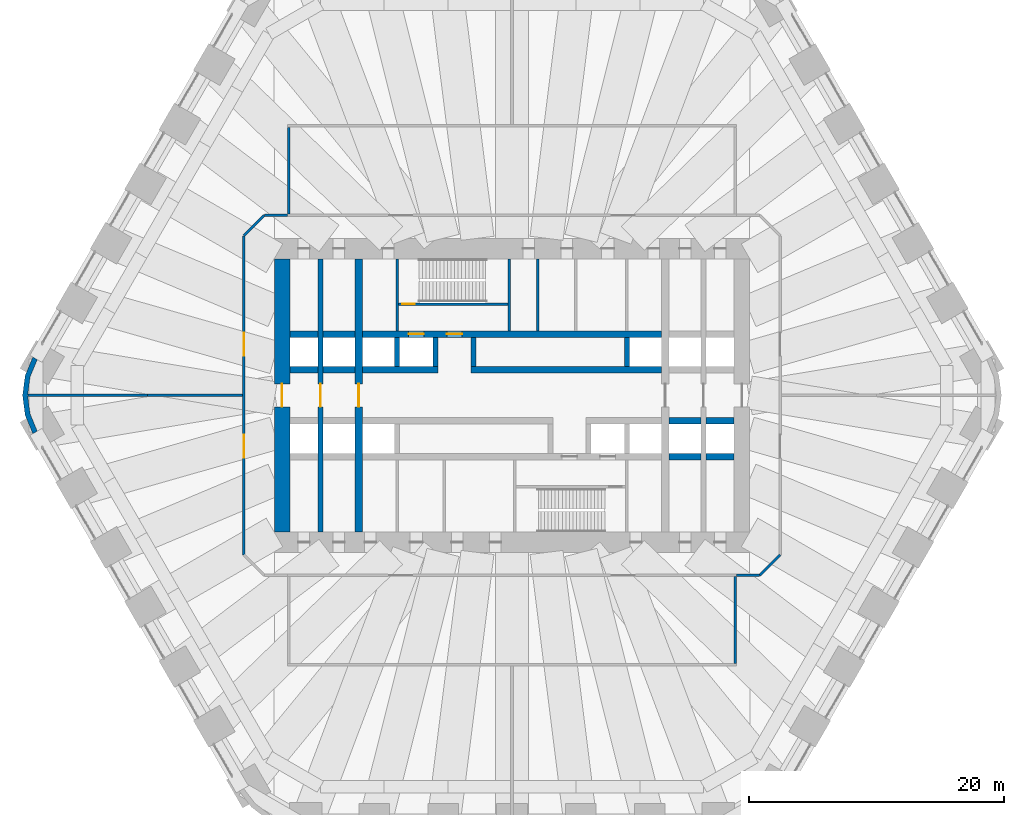
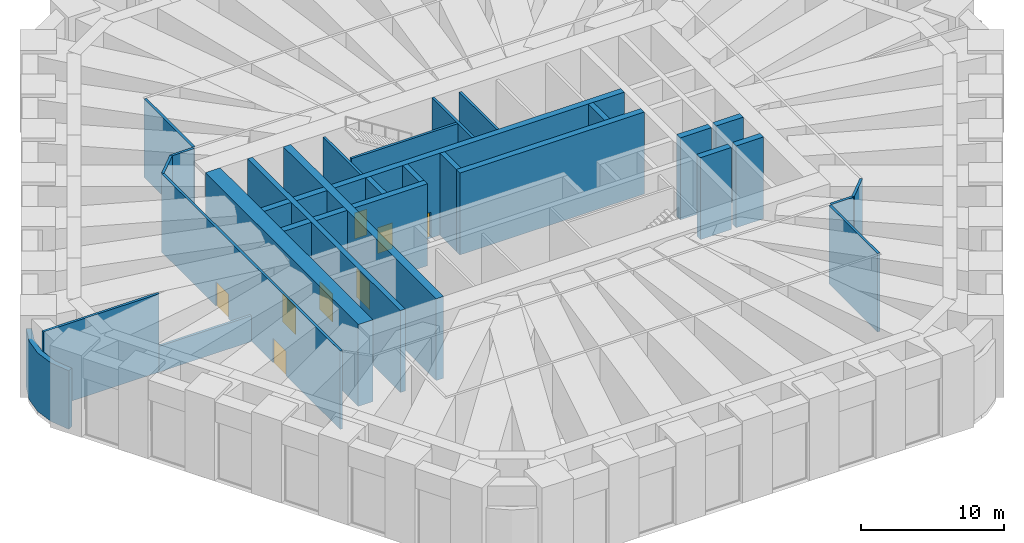
# One storey, part 14 of 17: 32 walls, 8 doors, 8 openings.
"""IFC4 building model written with IfcOpenShell, lengths in metres."""

from ifc_helpers import new_model, si_unit, direction, frame, frame_2d, origin, place, context, subcontext, project, spatial, polyline, rectangle, outline, extrude, material, layer, layer_set, type_object, element, fill, save


model = new_model("IFC4")

# Units and contexts
model_context = context("Model", 3, precision=1e-05, world=origin(), true_north=direction((0.0, 1.0)))
body_context = subcontext(model_context, "Body", "Model", "MODEL_VIEW")
ifc_project = project(units=[si_unit("LENGTHUNIT", "METRE"), si_unit("AREAUNIT", "SQUARE_METRE"), si_unit("VOLUMEUNIT", "CUBIC_METRE"), si_unit("PLANEANGLEUNIT", "RADIAN"), si_unit("MASSUNIT", "GRAM", prefix="KILO")], contexts=[model_context])

# Site, building, storey
site_placement = place(None, origin())
site = spatial("IfcSite", under=ifc_project, at=site_placement, CompositionType="ELEMENT")
building_placement = place(site_placement, origin())
building = spatial("IfcBuilding", under=site, at=building_placement, Name="Tarfa Lantern Tower", CompositionType="ELEMENT")
storey_placement = place(building_placement, frame((0.0, 0.0, 107.5)))
storey = spatial("IfcBuildingStorey", under=building, at=storey_placement, Name="L24", CompositionType="ELEMENT", Elevation=107.5)

# Walls
ifc_material_1 = material(Name="Limestone cladding on blockwork", Category="masonry")
ifc_layer_1 = layer(ifc_material_1, 0.39990234375)
ifc_layer_set_1 = layer_set([ifc_layer_1], Name="EW2 CURVED STONE CORNER 400")
wall_type_1 = type_object("IfcWallType", Name="EW2 CURVED STONE CORNER 400", PredefinedType="SOLIDWALL", material=ifc_layer_set_1)
wall_1_placement = place(storey_placement, origin())
element("IfcWall", 1, at=wall_1_placement, inside=storey, type_object=wall_type_1, Name="Stone corner NW-SW", PredefinedType="SOLIDWALL", context=body_context, shape_type="SweptSolid", body=[
    extrude(outline(polyline([(-37.52783203125, 3.0), (-38.127197265625, 1.552978515625), (-38.33154296875, 0.0), (-38.127197265625, -1.552978515625), (-37.52783203125, -3.0), (-37.181396484375, -2.800048828125), (-37.74072265625, -1.449462890625), (-37.931640625, 0.0), (-37.74072265625, 1.449462890625), (-37.181396484375, 2.800048828125), (-37.52783203125, 3.0)])), origin(), (0.0, 0.0, 1.0), 5.0),
])
ifc_material_2 = material(Name="Concrete blockwork", Category="masonry")
ifc_layer_2 = layer(ifc_material_2, 0.199951171875)
ifc_layer_set_2 = layer_set([ifc_layer_2], Name="IW1 BLOCKWORK PARTITION 200 EI 120")
wall_type_2 = type_object("IfcWallType", Name="IW1 BLOCKWORK PARTITION 200 EI 120", PredefinedType="PARTITIONING", material=ifc_layer_set_2)
for number, where, z_axis, x_axis, name in (
    (2, (-9.0, 5.050048828125, 0.0), (0.0, 0.0, 1.0), (0.0, 1.0, 0.0), "Core partition"),
    (3, (2.0, 5.050048828125, 0.0), (0.0, 0.0, 1.0), (0.0, 1.0, 0.0), "Core partition"),
):
    element("IfcWall", number, at=place(storey_placement, frame(where, z_axis=z_axis, x_axis=x_axis)), inside=storey, type_object=wall_type_2, Name=name, PredefinedType="PARTITIONING", context=body_context, shape_type="SweptSolid", body=[
        extrude(rectangle(XDim=5.64990234375, YDim=0.199951171875, at=frame_2d((2.824951171875, 0.0))), origin(), (0.0, 0.0, 1.0), 6.699951171875),
    ])
wall_2_placement = place(storey_placement, frame((-19.39990234375, 14.10009765625, 0.0), z_axis=(0.0, 0.0, 1.0), x_axis=(1.0, 0.0, 0.0)))
element("IfcWall", 4, at=wall_2_placement, inside=storey, type_object=wall_type_2, Name="Fire-rated partition", PredefinedType="PARTITIONING", context=body_context, shape_type="SweptSolid", body=[
    extrude(rectangle(XDim=1.7998046875, YDim=0.199951171875, at=frame_2d((0.89990234375, 0.0))), origin(), (0.0, 0.0, 1.0), 6.699951171875),
])
wall_3_placement = place(storey_placement, frame((21.0, -12.5, 0.0), z_axis=(0.0, 0.0, 1.0), x_axis=(-0.707106781187, -0.707106781187, 0.0)))
element("IfcWall", 5, at=wall_3_placement, inside=storey, type_object=wall_type_2, Name="Fire-rated partition", PredefinedType="PARTITIONING", context=body_context, shape_type="SweptSolid", body=[
    extrude(rectangle(XDim=2.262939453125, YDim=0.199951171875, at=frame_2d((1.13134765625, 0.0))), origin(), (0.0, 0.0, 1.0), 6.699951171875),
])
wall_4_placement = place(storey_placement, frame((19.39990234375, -14.10009765625, 0.0), z_axis=(0.0, 0.0, 1.0), x_axis=(-1.0, 0.0, 0.0)))
element("IfcWall", 6, at=wall_4_placement, inside=storey, type_object=wall_type_2, Name="Fire-rated partition", PredefinedType="PARTITIONING", context=body_context, shape_type="SweptSolid", body=[
    extrude(rectangle(XDim=1.7998046875, YDim=0.199951171875, at=frame_2d((0.89990234375, 0.0))), origin(), (0.0, 0.0, 1.0), 6.699951171875),
])

# Wall, openings, doors
wall_5_placement = place(storey_placement, frame((-21.0, -12.5, 0.0), z_axis=(0.0, 0.0, 1.0), x_axis=(0.0, 1.0, 0.0)))
wall_5 = element("IfcWall", 7, at=wall_5_placement, inside=storey, type_object=wall_type_2, Name="Fire-rated partition", PredefinedType="PARTITIONING", context=body_context, shape_type="SweptSolid", body=[
    extrude(rectangle(XDim=25.0, YDim=0.199951171875, at=frame_2d((12.5, 0.0))), origin(), (0.0, 0.0, 1.0), 6.699951171875),
])
opening_1_placement = place(wall_5_placement, frame((15.60009765625, 0.0, 0.0)))
opening_1 = element("IfcOpeningElement", 8, at=opening_1_placement, cuts=wall_5, Name="Opening D30", PredefinedType="OPENING", context=body_context, shape_type="SweptSolid", body=[
    extrude(rectangle(XDim=1.800048828125, YDim=2.10009765625, at=frame_2d((0.89990234375, 1.050048828125))), frame((0.0, 0.10986328125, 0.0), z_axis=(0.0, -1.0, 0.0), x_axis=(1.0, 0.0, 0.0)), (0.0, 0.0, 1.0), 0.219970703125),
])
opening_2_placement = place(wall_5_placement, frame((7.60009765625, 0.0, 0.0)))
opening_2 = element("IfcOpeningElement", 9, at=opening_2_placement, cuts=wall_5, Name="Opening D32", PredefinedType="OPENING", context=body_context, shape_type="SweptSolid", body=[
    extrude(rectangle(XDim=1.800048828125, YDim=2.10009765625, at=frame_2d((0.89990234375, 1.050048828125))), frame((0.0, 0.10986328125, 0.0), z_axis=(0.0, -1.0, 0.0), x_axis=(1.0, 0.0, 0.0)), (0.0, 0.0, 1.0), 0.219970703125),
])
ifc_material_3 = material(Name="Steel fire door", Category="steel")
door_type_1 = type_object("IfcDoorType", Name="DF10 FIRE DOOR 1800x2100", OperationType="DOUBLE_DOOR_SINGLE_SWING", PredefinedType="DOOR", material=ifc_material_3)
door_1_placement = place(opening_1_placement, origin())
door_1 = element("IfcDoor", 10, at=door_1_placement, inside=storey, type_object=door_type_1, Name="Chilled water plant room door", OperationType="DOUBLE_DOOR_SINGLE_SWING", OverallHeight=2.10009765625, OverallWidth=1.800048828125, PredefinedType="DOOR", context=body_context, shape_type="SweptSolid", body=[
    extrude(rectangle(XDim=1.800048828125, YDim=2.10009765625, at=frame_2d((0.89990234375, 1.050048828125))), frame((0.0, 0.02490234375, 0.0), z_axis=(0.0, -1.0, 0.0), x_axis=(1.0, 0.0, 0.0)), (0.0, 0.0, 1.0), 0.050048828125),
])
fill(opening_1, door_1)
door_2_placement = place(opening_2_placement, origin())
door_2 = element("IfcDoor", 11, at=door_2_placement, inside=storey, type_object=door_type_1, Name="Electrical plant room door", OperationType="DOUBLE_DOOR_SINGLE_SWING", OverallHeight=2.10009765625, OverallWidth=1.800048828125, PredefinedType="DOOR", context=body_context, shape_type="SweptSolid", body=[
    extrude(rectangle(XDim=1.800048828125, YDim=2.10009765625, at=frame_2d((0.89990234375, 1.050048828125))), frame((0.0, 0.02490234375, 0.0), z_axis=(0.0, -1.0, 0.0), x_axis=(1.0, 0.0, 0.0)), (0.0, 0.0, 1.0), 0.050048828125),
])
fill(opening_2, door_2)

# Walls
wall_6_placement = place(storey_placement, frame((-21.0, 12.5, 0.0), z_axis=(0.0, 0.0, 1.0), x_axis=(0.707106781187, 0.707106781187, 0.0)))
element("IfcWall", 12, at=wall_6_placement, inside=storey, type_object=wall_type_2, Name="Fire-rated partition", PredefinedType="PARTITIONING", context=body_context, shape_type="SweptSolid", body=[
    extrude(rectangle(XDim=2.262939453125, YDim=0.199951171875, at=frame_2d((1.13134765625, 0.0))), origin(), (0.0, 0.0, 1.0), 6.699951171875),
])
wall_7_placement = place(storey_placement, frame((-21.10009765625, 0.0, 0.0), z_axis=(0.0, 0.0, 1.0), x_axis=(-1.0, 0.0, 0.0)))
element("IfcWall", 13, at=wall_7_placement, inside=storey, type_object=wall_type_2, Name="Fire-rated partition", PredefinedType="PARTITIONING", context=body_context, shape_type="SweptSolid", body=[
    extrude(rectangle(XDim=7.4609375, YDim=0.199951171875, at=frame_2d((3.73046875, 0.0))), origin(), (0.0, 0.0, 1.0), 2.199951171875),
])
wall_8_placement = place(storey_placement, frame((-28.56103515625, 0.0, 0.0), z_axis=(0.0, 0.0, 1.0), x_axis=(-1.0, 0.0, 0.0)))
element("IfcWall", 14, at=wall_8_placement, inside=storey, type_object=wall_type_2, Name="Fire-rated partition", PredefinedType="PARTITIONING", context=body_context, shape_type="SweptSolid", body=[
    extrude(rectangle(XDim=9.357421875, YDim=0.199951171875, at=frame_2d((4.6787109375, 0.0))), origin(), (0.0, 0.0, 1.0), 6.699951171875),
])
ifc_material_4 = material(Name="Gypsum board on steel studs", Category="steel")
ifc_layer_3 = layer(ifc_material_4, 0.2099609375)
ifc_layer_set_3 = layer_set([ifc_layer_3], Name="IW2 ACOUSTIC PARTITION 200")
wall_type_3 = type_object("IfcWallType", Name="IW2 ACOUSTIC PARTITION 200", PredefinedType="PARTITIONING", material=ifc_layer_set_3)
for number, where, z_axis, x_axis, name in (
    (15, (-17.5, 14.199951171875, 0.0), (0.0, 0.0, 1.0), (0.0, 1.0, 0.0), "Partition"),
    (16, (17.5, -14.199951171875, 0.0), (0.0, 0.0, 1.0), (0.0, -1.0, 0.0), "Partition"),
):
    element("IfcWall", number, at=place(storey_placement, frame(where, z_axis=z_axis, x_axis=x_axis)), inside=storey, type_object=wall_type_3, Name=name, PredefinedType="PARTITIONING", context=body_context, shape_type="SweptSolid", body=[
        extrude(rectangle(XDim=6.800048828125, YDim=0.199951171875, at=frame_2d((3.39990234375, 0.0))), origin(), (0.0, 0.0, 1.0), 6.699951171875),
    ])

# Wall, opening, door
ifc_material_5 = material(Name="Concrete C80/95", Category="concrete")
ifc_layer_4 = layer(ifc_material_5, 1.199951171875)
ifc_layer_set_4 = layer_set([ifc_layer_4], Name="SW1 CORE WALL 1200")
wall_type_4 = type_object("IfcWallType", Name="SW1 CORE WALL 1200", PredefinedType="SHEAR", material=ifc_layer_set_4)
wall_9_placement = place(storey_placement, frame((-18.0, 10.699951171875, 0.0), z_axis=(0.0, 0.0, 1.0), x_axis=(0.0, -1.0, 0.0)))
wall_9 = element("IfcWall", 17, at=wall_9_placement, inside=storey, type_object=wall_type_4, Name="Core wall W", PredefinedType="SHEAR", context=body_context, shape_type="SweptSolid", body=[
    extrude(rectangle(XDim=21.39990234375, YDim=1.199951171875, at=frame_2d((10.699951171875, 0.0))), origin(), (0.0, 0.0, 1.0), 7.0),
])
opening_3_placement = place(wall_9_placement, frame((9.800048828125, 0.0, 0.0)))
opening_3 = element("IfcOpeningElement", 18, at=opening_3_placement, cuts=wall_9, Name="Opening D16", PredefinedType="OPENING", context=body_context, shape_type="SweptSolid", body=[
    extrude(rectangle(XDim=1.800048828125, YDim=2.39990234375, at=frame_2d((0.89990234375, 1.199951171875))), frame((0.0, 0.60986328125, 0.0), z_axis=(0.0, -1.0, 0.0), x_axis=(1.0, 0.0, 0.0)), (0.0, 0.0, 1.0), 1.219970703125),
])
door_type_2 = type_object("IfcDoorType", Name="DL1 LOBBY DOOR 1800x2400", OperationType="DOUBLE_DOOR_SINGLE_SWING", PredefinedType="DOOR", material=ifc_material_3)
door_3_placement = place(opening_3_placement, frame((1.800048828125, 0.0, 0.0), z_axis=(0.0, 0.0, 1.0), x_axis=(-1.0, 0.0, 0.0)))
door_3 = element("IfcDoor", 19, at=door_3_placement, inside=storey, type_object=door_type_2, Name="Lift lobby door", OperationType="DOUBLE_DOOR_SINGLE_SWING", OverallHeight=2.39990234375, OverallWidth=1.800048828125, PredefinedType="DOOR", context=body_context, shape_type="SweptSolid", body=[
    extrude(rectangle(XDim=1.800048828125, YDim=2.39990234375, at=frame_2d((0.89990234375, 1.199951171875))), frame((0.0, 0.02490234375, 0.0), z_axis=(0.0, -1.0, 0.0), x_axis=(1.0, 0.0, 0.0)), (0.0, 0.0, 1.0), 0.050048828125),
])
fill(opening_3, door_3)

# Wall
ifc_layer_5 = layer(ifc_material_5, 0.199951171875)
ifc_layer_set_5 = layer_set([ifc_layer_5], Name="SW12 CORE WALL 200")
wall_type_5 = type_object("IfcWallType", Name="SW12 CORE WALL 200", PredefinedType="SHEAR", material=ifc_layer_set_5)
wall_10_placement = place(storey_placement, frame((-0.199951171875, 5.050048828125, 0.0), z_axis=(0.0, 0.0, 1.0), x_axis=(0.0, 1.0, 0.0)))
element("IfcWall", 20, at=wall_10_placement, inside=storey, type_object=wall_type_5, Name="Core wall stair shaft N", PredefinedType="SHEAR", context=body_context, shape_type="SweptSolid", body=[
    extrude(rectangle(XDim=5.64990234375, YDim=0.199951171875, at=frame_2d((2.824951171875, 0.0))), origin(), (0.0, 0.0, 1.0), 7.0),
])

# Wall, opening, door
wall_11_placement = place(storey_placement, frame((-8.89990234375, 7.14990234375, 0.0), z_axis=(0.0, 0.0, 1.0), x_axis=(1.0, 0.0, 0.0)))
wall_11 = element("IfcWall", 21, at=wall_11_placement, inside=storey, type_object=wall_type_5, Name="Core wall stair partition N", PredefinedType="SHEAR", context=body_context, shape_type="SweptSolid", body=[
    extrude(rectangle(XDim=8.599853515625, YDim=0.199951171875, at=frame_2d((4.2998046875, 0.0))), origin(), (0.0, 0.0, 1.0), 7.0),
])
opening_4_placement = place(wall_11_placement, frame((0.300048828125, 0.0, 0.0)))
opening_4 = element("IfcOpeningElement", 22, at=opening_4_placement, cuts=wall_11, Name="Opening D23", PredefinedType="OPENING", context=body_context, shape_type="SweptSolid", body=[
    extrude(rectangle(XDim=1.0, YDim=2.199951171875, at=frame_2d((0.5, 1.10009765625))), frame((0.0, 0.10986328125, 0.0), z_axis=(0.0, -1.0, 0.0), x_axis=(1.0, 0.0, 0.0)), (0.0, 0.0, 1.0), 0.219970703125),
])
door_type_3 = type_object("IfcDoorType", Name="DF2 STAIR DOOR 1000x2200", OperationType="SINGLE_SWING_LEFT", PredefinedType="DOOR", material=ifc_material_3)
door_4_placement = place(opening_4_placement, origin())
door_4 = element("IfcDoor", 23, at=door_4_placement, inside=storey, type_object=door_type_3, Name="Stair door", OperationType="SINGLE_SWING_RIGHT", OverallHeight=2.199951171875, OverallWidth=1.0, PredefinedType="DOOR", context=body_context, shape_type="SweptSolid", body=[
    extrude(rectangle(XDim=1.0, YDim=2.199951171875, at=frame_2d((0.5, 1.10009765625))), frame((0.0, 0.02490234375, 0.0), z_axis=(0.0, -1.0, 0.0), x_axis=(1.0, 0.0, 0.0)), (0.0, 0.0, 1.0), 0.050048828125),
])
fill(opening_4, door_4)

# Walls
ifc_layer_6 = layer(ifc_material_5, 0.5)
ifc_layer_set_6 = layer_set([ifc_layer_6], Name="SW5 CORE WALL 500")
wall_type_6 = type_object("IfcWallType", Name="SW5 CORE WALL 500", PredefinedType="SHEAR", material=ifc_layer_set_6)
wall_12_placement = place(storey_placement, frame((-17.39990234375, 2.0, 0.0), z_axis=(0.0, 0.0, 1.0), x_axis=(1.0, 0.0, 0.0)))
element("IfcWall", 24, at=wall_12_placement, inside=storey, type_object=wall_type_6, Name="Core wall lobby west N", PredefinedType="SHEAR", context=body_context, shape_type="SweptSolid", body=[
    extrude(rectangle(XDim=2.199951171875, YDim=0.5, at=frame_2d((1.10009765625, 0.0))), origin(), (0.0, 0.0, 1.0), 7.0),
])
wall_13_placement = place(storey_placement, frame((-14.800048828125, 2.0, 0.0), z_axis=(0.0, 0.0, 1.0), x_axis=(1.0, 0.0, 0.0)))
element("IfcWall", 25, at=wall_13_placement, inside=storey, type_object=wall_type_6, Name="Core wall lobby west N", PredefinedType="SHEAR", context=body_context, shape_type="SweptSolid", body=[
    extrude(rectangle(XDim=2.5, YDim=0.5, at=frame_2d((1.25, 0.0))), origin(), (0.0, 0.0, 1.0), 7.0),
])
wall_14_placement = place(storey_placement, frame((-11.699951171875, 2.0, 0.0), z_axis=(0.0, 0.0, 1.0), x_axis=(1.0, 0.0, 0.0)))
element("IfcWall", 26, at=wall_14_placement, inside=storey, type_object=wall_type_6, Name="Core wall lobby west N", PredefinedType="SHEAR", context=body_context, shape_type="SweptSolid", body=[
    extrude(rectangle(XDim=5.89990234375, YDim=0.5, at=frame_2d((2.949951171875, 0.0))), origin(), (0.0, 0.0, 1.0), 7.0),
])
wall_15_placement = place(storey_placement, frame((-3.199951171875, 2.0, 0.0), z_axis=(0.0, 0.0, 1.0), x_axis=(1.0, 0.0, 0.0)))
element("IfcWall", 27, at=wall_15_placement, inside=storey, type_object=wall_type_6, Name="Core wall lobby east N", PredefinedType="SHEAR", context=body_context, shape_type="SweptSolid", body=[
    extrude(rectangle(XDim=14.89990234375, YDim=0.5, at=frame_2d((7.449951171875, 0.0))), origin(), (0.0, 0.0, 1.0), 7.0),
])
wall_16_placement = place(storey_placement, frame((-17.39990234375, 4.800048828125, 0.0), z_axis=(0.0, 0.0, 1.0), x_axis=(1.0, 0.0, 0.0)))
element("IfcWall", 28, at=wall_16_placement, inside=storey, type_object=wall_type_6, Name="Core wall rear N", PredefinedType="SHEAR", context=body_context, shape_type="SweptSolid", body=[
    extrude(rectangle(XDim=2.199951171875, YDim=0.5, at=frame_2d((1.10009765625, 0.0))), origin(), (0.0, 0.0, 1.0), 7.0),
])
wall_17_placement = place(storey_placement, frame((-14.800048828125, 4.800048828125, 0.0), z_axis=(0.0, 0.0, 1.0), x_axis=(1.0, 0.0, 0.0)))
element("IfcWall", 29, at=wall_17_placement, inside=storey, type_object=wall_type_6, Name="Core wall rear N", PredefinedType="SHEAR", context=body_context, shape_type="SweptSolid", body=[
    extrude(rectangle(XDim=2.5, YDim=0.5, at=frame_2d((1.25, 0.0))), origin(), (0.0, 0.0, 1.0), 7.0),
])

# Wall, openings, doors
wall_18_placement = place(storey_placement, frame((-11.699951171875, 4.800048828125, 0.0), z_axis=(0.0, 0.0, 1.0), x_axis=(1.0, 0.0, 0.0)))
wall_18 = element("IfcWall", 30, at=wall_18_placement, inside=storey, type_object=wall_type_6, Name="Core wall rear N", PredefinedType="SHEAR", context=body_context, shape_type="SweptSolid", body=[
    extrude(rectangle(XDim=23.39990234375, YDim=0.5, at=frame_2d((11.699951171875, 0.0))), origin(), (0.0, 0.0, 1.0), 7.0),
])
opening_5_placement = place(wall_18_placement, frame((6.60009765625, 0.0, 0.0)))
opening_5 = element("IfcOpeningElement", 31, at=opening_5_placement, cuts=wall_18, Name="Opening D13", PredefinedType="OPENING", context=body_context, shape_type="SweptSolid", body=[
    extrude(rectangle(XDim=1.199951171875, YDim=2.199951171875, at=frame_2d((0.60009765625, 1.10009765625))), frame((0.0, 0.260009765625, 0.0), z_axis=(0.0, -1.0, 0.0), x_axis=(1.0, 0.0, 0.0)), (0.0, 0.0, 1.0), 0.52001953125),
])
opening_6_placement = place(wall_18_placement, frame((3.60009765625, 0.0, 0.0)))
opening_6 = element("IfcOpeningElement", 32, at=opening_6_placement, cuts=wall_18, Name="Opening LD01", PredefinedType="OPENING", context=body_context, shape_type="SweptSolid", body=[
    extrude(rectangle(XDim=1.199951171875, YDim=2.199951171875, at=frame_2d((0.60009765625, 1.10009765625))), frame((0.0, 0.260009765625, 0.0), z_axis=(0.0, -1.0, 0.0), x_axis=(1.0, 0.0, 0.0)), (0.0, 0.0, 1.0), 0.52001953125),
])
door_type_4 = type_object("IfcDoorType", Name="DF1 FIREFIGHTING LOBBY DOOR 1200x2200", OperationType="SINGLE_SWING_LEFT", PredefinedType="DOOR", material=ifc_material_3)
door_5_placement = place(opening_5_placement, origin())
door_5 = element("IfcDoor", 33, at=door_5_placement, inside=storey, type_object=door_type_4, Name="Firefighting lobby door", OperationType="SINGLE_SWING_LEFT", OverallHeight=2.199951171875, OverallWidth=1.199951171875, PredefinedType="DOOR", context=body_context, shape_type="SweptSolid", body=[
    extrude(rectangle(XDim=1.199951171875, YDim=2.199951171875, at=frame_2d((0.60009765625, 1.10009765625))), frame((0.0, 0.02490234375, 0.0), z_axis=(0.0, -1.0, 0.0), x_axis=(1.0, 0.0, 0.0)), (0.0, 0.0, 1.0), 0.050048828125),
])
fill(opening_5, door_5)
ifc_material_6 = material(Name="Stainless steel lift door", Category="steel")
door_type_5 = type_object("IfcDoorType", Name="LD1 LIFT LANDING DOOR 1200x2200", OperationType="SLIDING_TO_LEFT", PredefinedType="DOOR", material=ifc_material_6)
door_6_placement = place(opening_6_placement, origin())
door_6 = element("IfcDoor", 34, at=door_6_placement, inside=storey, type_object=door_type_5, Name="Landing door FL1", OperationType="SLIDING_TO_LEFT", OverallHeight=2.199951171875, OverallWidth=1.199951171875, PredefinedType="DOOR", context=body_context, shape_type="SweptSolid", body=[
    extrude(rectangle(XDim=1.199951171875, YDim=2.199951171875, at=frame_2d((0.60009765625, 1.10009765625))), frame((0.0, 0.02490234375, 0.0), z_axis=(0.0, -1.0, 0.0), x_axis=(1.0, 0.0, 0.0)), (0.0, 0.0, 1.0), 0.050048828125),
])
fill(opening_6, door_6)

# Walls
wall_19_placement = place(storey_placement, frame((17.39990234375, -2.0, 0.0), z_axis=(0.0, 0.0, 1.0), x_axis=(-1.0, 0.0, 0.0)))
element("IfcWall", 35, at=wall_19_placement, inside=storey, type_object=wall_type_6, Name="Core wall lobby west S", PredefinedType="SHEAR", context=body_context, shape_type="SweptSolid", body=[
    extrude(rectangle(XDim=2.199951171875, YDim=0.5, at=frame_2d((1.10009765625, 0.0))), origin(), (0.0, 0.0, 1.0), 7.0),
])
wall_20_placement = place(storey_placement, frame((14.800048828125, -2.0, 0.0), z_axis=(0.0, 0.0, 1.0), x_axis=(-1.0, 0.0, 0.0)))
element("IfcWall", 36, at=wall_20_placement, inside=storey, type_object=wall_type_6, Name="Core wall lobby west S", PredefinedType="SHEAR", context=body_context, shape_type="SweptSolid", body=[
    extrude(rectangle(XDim=2.5, YDim=0.5, at=frame_2d((1.25, 0.0))), origin(), (0.0, 0.0, 1.0), 7.0),
])
wall_21_placement = place(storey_placement, frame((17.39990234375, -4.800048828125, 0.0), z_axis=(0.0, 0.0, 1.0), x_axis=(-1.0, 0.0, 0.0)))
element("IfcWall", 37, at=wall_21_placement, inside=storey, type_object=wall_type_6, Name="Core wall rear S", PredefinedType="SHEAR", context=body_context, shape_type="SweptSolid", body=[
    extrude(rectangle(XDim=2.199951171875, YDim=0.5, at=frame_2d((1.10009765625, 0.0))), origin(), (0.0, 0.0, 1.0), 7.0),
])
wall_22_placement = place(storey_placement, frame((14.800048828125, -4.800048828125, 0.0), z_axis=(0.0, 0.0, 1.0), x_axis=(-1.0, 0.0, 0.0)))
element("IfcWall", 38, at=wall_22_placement, inside=storey, type_object=wall_type_6, Name="Core wall rear S", PredefinedType="SHEAR", context=body_context, shape_type="SweptSolid", body=[
    extrude(rectangle(XDim=2.5, YDim=0.5, at=frame_2d((1.25, 0.0))), origin(), (0.0, 0.0, 1.0), 7.0),
])

# Wall, opening, door
ifc_layer_7 = layer(ifc_material_5, 0.39990234375)
ifc_layer_set_7 = layer_set([ifc_layer_7], Name="SW6 CORE WALL 400")
wall_type_7 = type_object("IfcWallType", Name="SW6 CORE WALL 400", PredefinedType="SHEAR", material=ifc_layer_set_7)
wall_23_placement = place(storey_placement, frame((-15.0, -10.699951171875, 0.0), z_axis=(0.0, 0.0, 1.0), x_axis=(0.0, 1.0, 0.0)))
wall_23 = element("IfcWall", 39, at=wall_23_placement, inside=storey, type_object=wall_type_7, Name="Core wall cross 15 m west", PredefinedType="SHEAR", context=body_context, shape_type="SweptSolid", body=[
    extrude(rectangle(XDim=21.39990234375, YDim=0.39990234375, at=frame_2d((10.699951171875, 0.0))), origin(), (0.0, 0.0, 1.0), 7.0),
])
opening_7_placement = place(wall_23_placement, frame((9.800048828125, 0.0, 0.0)))
opening_7 = element("IfcOpeningElement", 40, at=opening_7_placement, cuts=wall_23, Name="Opening D28", PredefinedType="OPENING", context=body_context, shape_type="SweptSolid", body=[
    extrude(rectangle(XDim=1.800048828125, YDim=2.39990234375, at=frame_2d((0.89990234375, 1.199951171875))), frame((0.0, 0.2099609375, 0.0), z_axis=(0.0, -1.0, 0.0), x_axis=(1.0, 0.0, 0.0)), (0.0, 0.0, 1.0), 0.419921875),
])
door_7_placement = place(opening_7_placement, origin())
door_7 = element("IfcDoor", 41, at=door_7_placement, inside=storey, type_object=door_type_2, Name="Lift lobby door", OperationType="DOUBLE_DOOR_SINGLE_SWING", OverallHeight=2.39990234375, OverallWidth=1.800048828125, PredefinedType="DOOR", context=body_context, shape_type="SweptSolid", body=[
    extrude(rectangle(XDim=1.800048828125, YDim=2.39990234375, at=frame_2d((0.89990234375, 1.199951171875))), frame((0.0, 0.02490234375, 0.0), z_axis=(0.0, -1.0, 0.0), x_axis=(1.0, 0.0, 0.0)), (0.0, 0.0, 1.0), 0.050048828125),
])
fill(opening_7, door_7)

# Walls
for number, where, z_axis, x_axis, name in (
    (42, (-9.0, 2.25, 0.0), (0.0, 0.0, 1.0), (0.0, 1.0, 0.0), "Core wall divider N"),
    (43, (-6.0, 2.25, 0.0), (0.0, 0.0, 1.0), (0.0, 1.0, 0.0), "Core wall divider N"),
    (44, (-3.0, 2.25, 0.0), (0.0, 0.0, 1.0), (0.0, 1.0, 0.0), "Core wall divider N"),
    (45, (9.0, 2.25, 0.0), (0.0, 0.0, 1.0), (0.0, 1.0, 0.0), "Core wall divider N"),
):
    element("IfcWall", number, at=place(storey_placement, frame(where, z_axis=z_axis, x_axis=x_axis)), inside=storey, type_object=wall_type_7, Name=name, PredefinedType="SHEAR", context=body_context, shape_type="SweptSolid", body=[
        extrude(rectangle(XDim=2.300048828125, YDim=0.39990234375, at=frame_2d((1.14990234375, 0.0))), origin(), (0.0, 0.0, 1.0), 7.0),
    ])

# Wall, opening, door
ifc_layer_8 = layer(ifc_material_5, 0.60009765625)
ifc_layer_set_8 = layer_set([ifc_layer_8], Name="SW9 CORE WALL 600")
wall_type_8 = type_object("IfcWallType", Name="SW9 CORE WALL 600", PredefinedType="SHEAR", material=ifc_layer_set_8)
wall_24_placement = place(storey_placement, frame((-12.0, -10.699951171875, 0.0), z_axis=(0.0, 0.0, 1.0), x_axis=(0.0, 1.0, 0.0)))
wall_24 = element("IfcWall", 46, at=wall_24_placement, inside=storey, type_object=wall_type_8, Name="Core wall cross 12 m west", PredefinedType="SHEAR", context=body_context, shape_type="SweptSolid", body=[
    extrude(rectangle(XDim=21.39990234375, YDim=0.60009765625, at=frame_2d((10.699951171875, 0.0))), origin(), (0.0, 0.0, 1.0), 7.0),
])
opening_8_placement = place(wall_24_placement, frame((9.800048828125, 0.0, 0.0)))
opening_8 = element("IfcOpeningElement", 47, at=opening_8_placement, cuts=wall_24, Name="Opening D27", PredefinedType="OPENING", context=body_context, shape_type="SweptSolid", body=[
    extrude(rectangle(XDim=1.800048828125, YDim=2.39990234375, at=frame_2d((0.89990234375, 1.199951171875))), frame((0.0, 0.31005859375, 0.0), z_axis=(0.0, -1.0, 0.0), x_axis=(1.0, 0.0, 0.0)), (0.0, 0.0, 1.0), 0.6201171875),
])
door_8_placement = place(opening_8_placement, origin())
door_8 = element("IfcDoor", 48, at=door_8_placement, inside=storey, type_object=door_type_2, Name="Lift lobby door", OperationType="DOUBLE_DOOR_SINGLE_SWING", OverallHeight=2.39990234375, OverallWidth=1.800048828125, PredefinedType="DOOR", context=body_context, shape_type="SweptSolid", body=[
    extrude(rectangle(XDim=1.800048828125, YDim=2.39990234375, at=frame_2d((0.89990234375, 1.199951171875))), frame((0.0, 0.02490234375, 0.0), z_axis=(0.0, -1.0, 0.0), x_axis=(1.0, 0.0, 0.0)), (0.0, 0.0, 1.0), 0.050048828125),
])
fill(opening_8, door_8)

save(model, "model.ifc")
